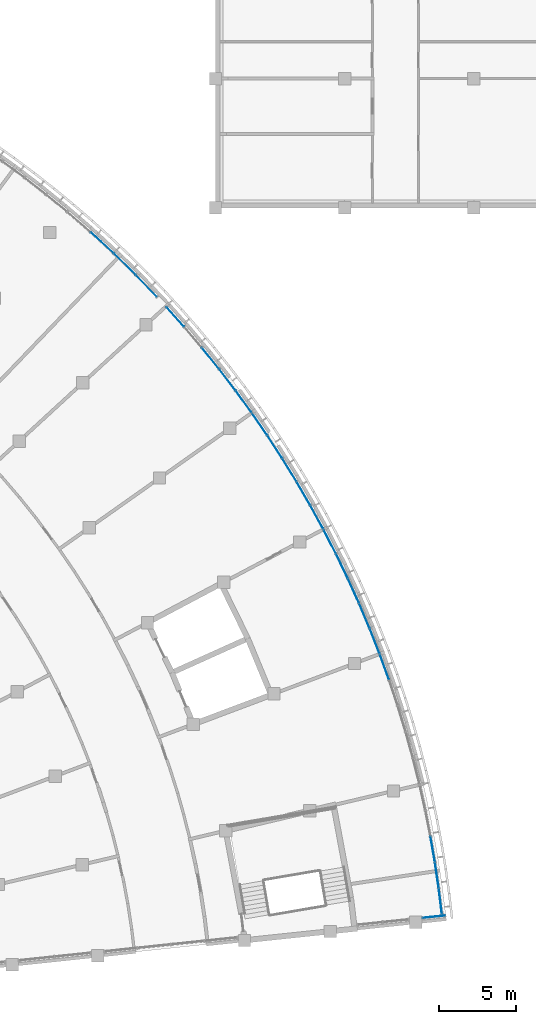
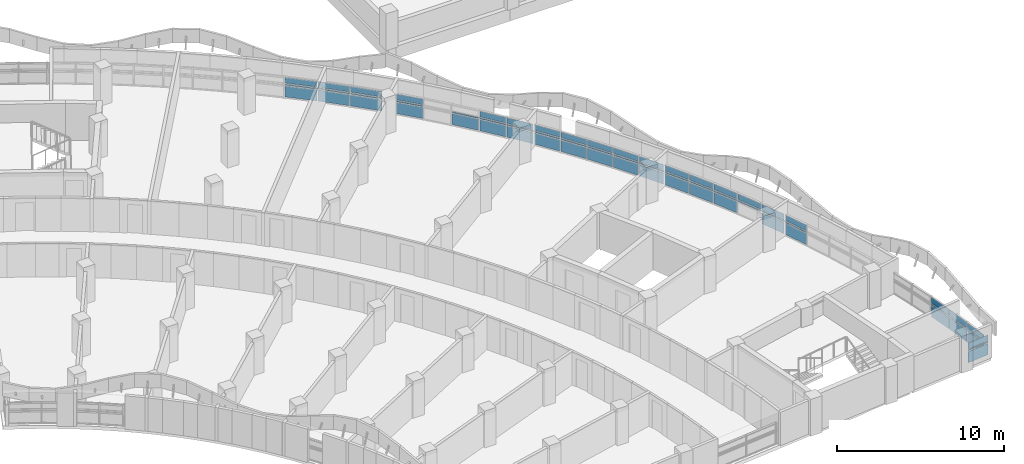
# One storey, part 34 of 89: 64 plates, 7 elements without a shape of their own.
"""IFC4 building model written with IfcOpenShell, lengths in metres."""

from ifc_helpers import new_model, si_unit, direction, frame, origin, origin_2d, place, context, subcontext, project, spatial, rectangle, extrude, material, layer, layer_set, type_object, element, aggregate, save


model = new_model("IFC4")

# Units and contexts
model_context = context("Model", 3, precision=1e-05, world=origin(), true_north=direction((0.0, 1.0)))
body_context = subcontext(model_context, "Body", "Model", "MODEL_VIEW")
ifc_project = project(units=[si_unit("LENGTHUNIT", "METRE"), si_unit("AREAUNIT", "SQUARE_METRE"), si_unit("VOLUMEUNIT", "CUBIC_METRE"), si_unit("PLANEANGLEUNIT", "RADIAN"), si_unit("MASSUNIT", "GRAM", prefix="KILO")], contexts=[model_context])

# Site, building, storey
site_placement = place(None, origin())
site = spatial("IfcSite", under=ifc_project, at=site_placement, CompositionType="ELEMENT")
building_placement = place(site_placement, origin())
building = spatial("IfcBuilding", under=site, at=building_placement, Name="Bougainvillea Quay General Hospital", CompositionType="ELEMENT")
storey_placement = place(building_placement, frame((0.0, 0.0, 9.89990234375)))
storey = spatial("IfcBuildingStorey", under=building, at=storey_placement, Name="L01M", CompositionType="ELEMENT", Elevation=9.89990234375)

# Curtain wall, plates
ifc_material_1 = material(Name="Aluminium curtain wall system, powder-coated glazed", Category="aluminium")
curtain_wall_type_1 = type_object("IfcCurtainWallType", Name="Unitised curtain wall CW-2100", PredefinedType="NOTDEFINED", material=ifc_material_1)
curtain_wall_1_placement = place(storey_placement, origin())
curtain_wall_1 = element("IfcCurtainWall", 1, at=curtain_wall_1_placement, inside=storey, type_object=curtain_wall_type_1, Name="CW-E03 a10b2", PredefinedType="NOTDEFINED")
ifc_material_2 = material(Name="Insulated aluminium spandrel panel, white", Category="aluminium")
ifc_layer_1 = layer(ifc_material_2, 0.028076171875)
ifc_layer_set_1 = layer_set([ifc_layer_1], Name="Insulated aluminium spandrel panel, white")
plate_type_1 = type_object("IfcPlateType", Name="Insulated spandrel panel white 28", PredefinedType="CURTAIN_PANEL", material=ifc_layer_set_1)
plate_1_placement = place(storey_placement, frame((156.422607421875, 73.323486328125, 0.06005859375), z_axis=(0.0, 0.0, 1.0), x_axis=(0.735894078479, -0.677096673497, 0.0)))
plate_1 = element("IfcPlate", 2, at=plate_1_placement, type_object=plate_type_1, Name="CW-E03 spandrel panel 2.1", PredefinedType="CURTAIN_PANEL", context=body_context, shape_type="SweptSolid", body=[
    extrude(rectangle(XDim=1.96337890625, YDim=0.028076171875, at=origin_2d()), origin(), (0.0, 0.0, 1.0), 0.81005859375),
])
plate_2_placement = place(storey_placement, frame((156.422607421875, 73.323486328125, 1.080078125), z_axis=(0.0, 0.0, 1.0), x_axis=(0.735894078479, -0.677096673497, 0.0)))
plate_2 = element("IfcPlate", 3, at=plate_2_placement, type_object=plate_type_1, Name="CW-E03 spandrel panel 2.3", PredefinedType="CURTAIN_PANEL", context=body_context, shape_type="SweptSolid", body=[
    extrude(rectangle(XDim=1.96337890625, YDim=0.028076171875, at=origin_2d()), origin(), (0.0, 0.0, 1.0), 0.409912109375),
])
plate_3_placement = place(storey_placement, frame((157.8916015625, 71.93212890625, 0.06005859375), z_axis=(0.0, 0.0, 1.0), x_axis=(0.715944985264, -0.69815670023, 0.0)))
plate_3 = element("IfcPlate", 4, at=plate_3_placement, type_object=plate_type_1, Name="CW-E03 spandrel panel 3.1", PredefinedType="CURTAIN_PANEL", context=body_context, shape_type="SweptSolid", body=[
    extrude(rectangle(XDim=1.96337890625, YDim=0.028076171875, at=origin_2d()), origin(), (0.0, 0.0, 1.0), 0.81005859375),
])
plate_4_placement = place(storey_placement, frame((157.8916015625, 71.93212890625, 1.080078125), z_axis=(0.0, 0.0, 1.0), x_axis=(0.715944985264, -0.69815670023, 0.0)))
plate_4 = element("IfcPlate", 5, at=plate_4_placement, type_object=plate_type_1, Name="CW-E03 spandrel panel 3.3", PredefinedType="CURTAIN_PANEL", context=body_context, shape_type="SweptSolid", body=[
    extrude(rectangle(XDim=1.96337890625, YDim=0.028076171875, at=origin_2d()), origin(), (0.0, 0.0, 1.0), 0.409912109375),
])
plate_5_placement = place(storey_placement, frame((159.308837890625, 70.509521484375, 0.06005859375), z_axis=(0.0, 0.0, 1.0), x_axis=(0.695393430754, -0.718629234351, 0.0)))
plate_5 = element("IfcPlate", 6, at=plate_5_placement, type_object=plate_type_1, Name="CW-E03 spandrel panel 4.1", PredefinedType="CURTAIN_PANEL", context=body_context, shape_type="SweptSolid", body=[
    extrude(rectangle(XDim=1.933349609375, YDim=0.028076171875, at=origin_2d()), origin(), (0.0, 0.0, 1.0), 0.81005859375),
])
plate_6_placement = place(storey_placement, frame((159.308837890625, 70.509521484375, 1.080078125), z_axis=(0.0, 0.0, 1.0), x_axis=(0.695393430754, -0.718629234351, 0.0)))
plate_6 = element("IfcPlate", 7, at=plate_6_placement, type_object=plate_type_1, Name="CW-E03 spandrel panel 4.3", PredefinedType="CURTAIN_PANEL", context=body_context, shape_type="SweptSolid", body=[
    extrude(rectangle(XDim=1.933349609375, YDim=0.028076171875, at=origin_2d()), origin(), (0.0, 0.0, 1.0), 0.409912109375),
])

curtain_wall_type_2 = type_object("IfcCurtainWallType", Name="Unitised curtain wall CW-1581", PredefinedType="NOTDEFINED", material=ifc_material_1)
curtain_wall_2_placement = place(storey_placement, origin())
curtain_wall_2 = element("IfcCurtainWall", 8, at=curtain_wall_2_placement, inside=storey, type_object=curtain_wall_type_2, Name="CW-AE 05", PredefinedType="NOTDEFINED")
plate_7_placement = place(storey_placement, frame((178.0048828125, 29.48291015625, 0.06005859375), z_axis=(0.0, 0.0, 1.0), x_axis=(0.9945220309, 0.104527173765, 0.0)))
plate_7 = element("IfcPlate", 9, at=plate_7_placement, type_object=plate_type_1, Name="CW-AE spandrel panel 1.1", PredefinedType="CURTAIN_PANEL", context=body_context, shape_type="SweptSolid", body=[
    extrude(rectangle(XDim=1.46044921875, YDim=0.028076171875, at=origin_2d()), origin(), (0.0, 0.0, 1.0), 0.81005859375),
])
plate_8_placement = place(storey_placement, frame((178.0048828125, 29.48291015625, 1.080078125), z_axis=(0.0, 0.0, 1.0), x_axis=(0.9945220309, 0.104527173765, 0.0)))
plate_8 = element("IfcPlate", 10, at=plate_8_placement, type_object=plate_type_1, Name="CW-AE spandrel panel 1.3", PredefinedType="CURTAIN_PANEL", context=body_context, shape_type="SweptSolid", body=[
    extrude(rectangle(XDim=1.46044921875, YDim=0.028076171875, at=origin_2d()), origin(), (0.0, 0.0, 1.0), 0.409912109375),
])

curtain_wall_3_placement = place(storey_placement, origin())
curtain_wall_3 = element("IfcCurtainWall", 11, at=curtain_wall_3_placement, inside=storey, type_object=curtain_wall_type_1, Name="CW-E04 a14b3", PredefinedType="NOTDEFINED")
plate_9_placement = place(storey_placement, frame((161.176513671875, 68.505859375, 0.06005859375), z_axis=(0.0, 0.0, 1.0), x_axis=(0.666959122159, -0.745094309044, 0.0)))
plate_9 = element("IfcPlate", 12, at=plate_9_placement, type_object=plate_type_1, Name="CW-E04 spandrel panel 1.1", PredefinedType="CURTAIN_PANEL", context=body_context, shape_type="SweptSolid", body=[
    extrude(rectangle(XDim=1.690185546875, YDim=0.028076171875, at=origin_2d()), origin(), (0.0, 0.0, 1.0), 0.81005859375),
])
plate_10_placement = place(storey_placement, frame((161.176513671875, 68.505859375, 1.080078125), z_axis=(0.0, 0.0, 1.0), x_axis=(0.666959122159, -0.745094309044, 0.0)))
plate_10 = element("IfcPlate", 13, at=plate_10_placement, type_object=plate_type_1, Name="CW-E04 spandrel panel 1.3", PredefinedType="CURTAIN_PANEL", context=body_context, shape_type="SweptSolid", body=[
    extrude(rectangle(XDim=1.690185546875, YDim=0.028076171875, at=origin_2d()), origin(), (0.0, 0.0, 1.0), 0.409912109375),
])
plate_11_placement = place(storey_placement, frame((163.47216796875, 65.8046875, 0.06005859375), z_axis=(0.0, 0.0, 1.0), x_axis=(0.62807171477, -0.778155460757, 0.0)))
plate_11 = element("IfcPlate", 14, at=plate_11_placement, type_object=plate_type_1, Name="CW-E04 spandrel panel 3.1", PredefinedType="CURTAIN_PANEL", context=body_context, shape_type="SweptSolid", body=[
    extrude(rectangle(XDim=1.72021484375, YDim=0.028076171875, at=origin_2d()), origin(), (0.0, 0.0, 1.0), 0.81005859375),
])
plate_12_placement = place(storey_placement, frame((164.572509765625, 64.4052734375, 0.06005859375), z_axis=(0.0, 0.0, 1.0), x_axis=(0.608007898172, -0.793930976698, 0.0)))
plate_12 = element("IfcPlate", 15, at=plate_12_placement, type_object=plate_type_1, Name="CW-E04 spandrel panel 4.1", PredefinedType="CURTAIN_PANEL", context=body_context, shape_type="SweptSolid", body=[
    extrude(rectangle(XDim=1.72021484375, YDim=0.028076171875, at=origin_2d()), origin(), (0.0, 0.0, 1.0), 0.81005859375),
])
plate_13_placement = place(storey_placement, frame((164.572509765625, 64.4052734375, 1.080078125), z_axis=(0.0, 0.0, 1.0), x_axis=(0.608007898172, -0.793930976698, 0.0)))
plate_13 = element("IfcPlate", 16, at=plate_13_placement, type_object=plate_type_1, Name="CW-E04 spandrel panel 4.3", PredefinedType="CURTAIN_PANEL", context=body_context, shape_type="SweptSolid", body=[
    extrude(rectangle(XDim=1.72021484375, YDim=0.028076171875, at=origin_2d()), origin(), (0.0, 0.0, 1.0), 0.409912109375),
])
plate_14_placement = place(storey_placement, frame((165.6279296875, 62.990478515625, 0.06005859375), z_axis=(0.0, 0.0, 1.0), x_axis=(0.587548010856, -0.809189307232, 0.0)))
plate_14 = element("IfcPlate", 17, at=plate_14_placement, type_object=plate_type_1, Name="CW-E04 spandrel panel 5.1", PredefinedType="CURTAIN_PANEL", context=body_context, shape_type="SweptSolid", body=[
    extrude(rectangle(XDim=1.690185546875, YDim=0.028076171875, at=origin_2d()), origin(), (0.0, 0.0, 1.0), 0.81005859375),
])
plate_15_placement = place(storey_placement, frame((165.6279296875, 62.990478515625, 1.080078125), z_axis=(0.0, 0.0, 1.0), x_axis=(0.587548010856, -0.809189307232, 0.0)))
plate_15 = element("IfcPlate", 18, at=plate_15_placement, type_object=plate_type_1, Name="CW-E04 spandrel panel 5.3", PredefinedType="CURTAIN_PANEL", context=body_context, shape_type="SweptSolid", body=[
    extrude(rectangle(XDim=1.690185546875, YDim=0.028076171875, at=origin_2d()), origin(), (0.0, 0.0, 1.0), 0.409912109375),
])

curtain_wall_4_placement = place(storey_placement, origin())
curtain_wall_4 = element("IfcCurtainWall", 19, at=curtain_wall_4_placement, inside=storey, type_object=curtain_wall_type_1, Name="CW-E05 a14b4", PredefinedType="NOTDEFINED")
plate_16_placement = place(storey_placement, frame((166.672607421875, 61.512451171875, 0.06005859375), z_axis=(0.0, 0.0, 1.0), x_axis=(0.566705380876, -0.823920512723, 0.0)))
plate_16 = element("IfcPlate", 20, at=plate_16_placement, type_object=plate_type_1, Name="CW-E05 spandrel panel 1.1", PredefinedType="CURTAIN_PANEL", context=body_context, shape_type="SweptSolid", body=[
    extrude(rectangle(XDim=1.690185546875, YDim=0.028076171875, at=origin_2d()), origin(), (0.0, 0.0, 1.0), 0.81005859375),
])
plate_17_placement = place(storey_placement, frame((166.672607421875, 61.512451171875, 1.080078125), z_axis=(0.0, 0.0, 1.0), x_axis=(0.566705380876, -0.823920512723, 0.0)))
plate_17 = element("IfcPlate", 21, at=plate_17_placement, type_object=plate_type_1, Name="CW-E05 spandrel panel 1.3", PredefinedType="CURTAIN_PANEL", context=body_context, shape_type="SweptSolid", body=[
    extrude(rectangle(XDim=1.690185546875, YDim=0.028076171875, at=origin_2d()), origin(), (0.0, 0.0, 1.0), 0.409912109375),
])
plate_18_placement = place(storey_placement, frame((167.654052734375, 60.04541015625, 0.06005859375), z_axis=(0.0, 0.0, 1.0), x_axis=(0.545493585615, -0.838114996915, 0.0)))
plate_18 = element("IfcPlate", 22, at=plate_18_placement, type_object=plate_type_1, Name="CW-E05 spandrel panel 2.1", PredefinedType="CURTAIN_PANEL", context=body_context, shape_type="SweptSolid", body=[
    extrude(rectangle(XDim=1.72021484375, YDim=0.028076171875, at=origin_2d()), origin(), (0.0, 0.0, 1.0), 0.81005859375),
])
plate_19_placement = place(storey_placement, frame((167.654052734375, 60.04541015625, 1.080078125), z_axis=(0.0, 0.0, 1.0), x_axis=(0.545493585615, -0.838114996915, 0.0)))
plate_19 = element("IfcPlate", 23, at=plate_19_placement, type_object=plate_type_1, Name="CW-E05 spandrel panel 2.3", PredefinedType="CURTAIN_PANEL", context=body_context, shape_type="SweptSolid", body=[
    extrude(rectangle(XDim=1.72021484375, YDim=0.028076171875, at=origin_2d()), origin(), (0.0, 0.0, 1.0), 0.409912109375),
])
plate_20_placement = place(storey_placement, frame((168.60595703125, 58.541015625, 0.06005859375), z_axis=(0.0, 0.0, 1.0), x_axis=(0.523926442936, -0.851763513185, 0.0)))
plate_20 = element("IfcPlate", 24, at=plate_20_placement, type_object=plate_type_1, Name="CW-E05 spandrel panel 3.1", PredefinedType="CURTAIN_PANEL", context=body_context, shape_type="SweptSolid", body=[
    extrude(rectangle(XDim=1.72021484375, YDim=0.028076171875, at=origin_2d()), origin(), (0.0, 0.0, 1.0), 0.81005859375),
])
plate_21_placement = place(storey_placement, frame((168.60595703125, 58.541015625, 1.080078125), z_axis=(0.0, 0.0, 1.0), x_axis=(0.523926442936, -0.851763513185, 0.0)))
plate_21 = element("IfcPlate", 25, at=plate_21_placement, type_object=plate_type_1, Name="CW-E05 spandrel panel 3.3", PredefinedType="CURTAIN_PANEL", context=body_context, shape_type="SweptSolid", body=[
    extrude(rectangle(XDim=1.72021484375, YDim=0.028076171875, at=origin_2d()), origin(), (0.0, 0.0, 1.0), 0.409912109375),
])
plate_22_placement = place(storey_placement, frame((169.519287109375, 57.01318359375, 0.06005859375), z_axis=(0.0, 0.0, 1.0), x_axis=(0.502018002187, -0.864857170567, 0.0)))
plate_22 = element("IfcPlate", 26, at=plate_22_placement, type_object=plate_type_1, Name="CW-E05 spandrel panel 4.1", PredefinedType="CURTAIN_PANEL", context=body_context, shape_type="SweptSolid", body=[
    extrude(rectangle(XDim=1.72021484375, YDim=0.028076171875, at=origin_2d()), origin(), (0.0, 0.0, 1.0), 0.81005859375),
])
plate_23_placement = place(storey_placement, frame((169.519287109375, 57.01318359375, 1.080078125), z_axis=(0.0, 0.0, 1.0), x_axis=(0.502018002187, -0.864857170567, 0.0)))
plate_23 = element("IfcPlate", 27, at=plate_23_placement, type_object=plate_type_1, Name="CW-E05 spandrel panel 4.3", PredefinedType="CURTAIN_PANEL", context=body_context, shape_type="SweptSolid", body=[
    extrude(rectangle(XDim=1.72021484375, YDim=0.028076171875, at=origin_2d()), origin(), (0.0, 0.0, 1.0), 0.409912109375),
])
plate_24_placement = place(storey_placement, frame((170.385986328125, 55.4755859375, 0.06005859375), z_axis=(0.0, 0.0, 1.0), x_axis=(0.479782535044, -0.877387439543, 0.0)))
plate_24 = element("IfcPlate", 28, at=plate_24_placement, type_object=plate_type_1, Name="CW-E05 spandrel panel 5.1", PredefinedType="CURTAIN_PANEL", context=body_context, shape_type="SweptSolid", body=[
    extrude(rectangle(XDim=1.690185546875, YDim=0.028076171875, at=origin_2d()), origin(), (0.0, 0.0, 1.0), 0.81005859375),
])
plate_25_placement = place(storey_placement, frame((170.385986328125, 55.4755859375, 1.080078125), z_axis=(0.0, 0.0, 1.0), x_axis=(0.479782535044, -0.877387439543, 0.0)))
plate_25 = element("IfcPlate", 29, at=plate_25_placement, type_object=plate_type_1, Name="CW-E05 spandrel panel 5.3", PredefinedType="CURTAIN_PANEL", context=body_context, shape_type="SweptSolid", body=[
    extrude(rectangle(XDim=1.690185546875, YDim=0.028076171875, at=origin_2d()), origin(), (0.0, 0.0, 1.0), 0.409912109375),
])

curtain_wall_5_placement = place(storey_placement, origin())
curtain_wall_5 = element("IfcCurtainWall", 30, at=curtain_wall_5_placement, inside=storey, type_object=curtain_wall_type_1, Name="CW-E06 a14b5", PredefinedType="NOTDEFINED")
plate_26_placement = place(storey_placement, frame((171.234130859375, 53.87646484375, 0.06005859375), z_axis=(0.0, 0.0, 1.0), x_axis=(0.457234526215, -0.889346157599, 0.0)))
plate_26 = element("IfcPlate", 31, at=plate_26_placement, type_object=plate_type_1, Name="CW-E06 spandrel panel 1.1", PredefinedType="CURTAIN_PANEL", context=body_context, shape_type="SweptSolid", body=[
    extrude(rectangle(XDim=1.690185546875, YDim=0.028076171875, at=origin_2d()), origin(), (0.0, 0.0, 1.0), 0.81005859375),
])
plate_27_placement = place(storey_placement, frame((171.234130859375, 53.87646484375, 1.080078125), z_axis=(0.0, 0.0, 1.0), x_axis=(0.457234526215, -0.889346157599, 0.0)))
plate_27 = element("IfcPlate", 32, at=plate_27_placement, type_object=plate_type_1, Name="CW-E06 spandrel panel 1.3", PredefinedType="CURTAIN_PANEL", context=body_context, shape_type="SweptSolid", body=[
    extrude(rectangle(XDim=1.690185546875, YDim=0.028076171875, at=origin_2d()), origin(), (0.0, 0.0, 1.0), 0.409912109375),
])
plate_28_placement = place(storey_placement, frame((172.02099609375, 52.29638671875, 0.06005859375), z_axis=(0.0, 0.0, 1.0), x_axis=(0.434388664007, -0.900725534545, 0.0)))
plate_28 = element("IfcPlate", 33, at=plate_28_placement, type_object=plate_type_1, Name="CW-E06 spandrel panel 2.1", PredefinedType="CURTAIN_PANEL", context=body_context, shape_type="SweptSolid", body=[
    extrude(rectangle(XDim=1.72021484375, YDim=0.028076171875, at=origin_2d()), origin(), (0.0, 0.0, 1.0), 0.81005859375),
])
plate_29_placement = place(storey_placement, frame((172.02099609375, 52.29638671875, 1.080078125), z_axis=(0.0, 0.0, 1.0), x_axis=(0.434388664007, -0.900725534545, 0.0)))
plate_29 = element("IfcPlate", 34, at=plate_29_placement, type_object=plate_type_1, Name="CW-E06 spandrel panel 2.3", PredefinedType="CURTAIN_PANEL", context=body_context, shape_type="SweptSolid", body=[
    extrude(rectangle(XDim=1.72021484375, YDim=0.028076171875, at=origin_2d()), origin(), (0.0, 0.0, 1.0), 0.409912109375),
])
plate_30_placement = place(storey_placement, frame((172.773681640625, 50.683349609375, 0.06005859375), z_axis=(0.0, 0.0, 1.0), x_axis=(0.411259830755, -0.911518157585, 0.0)))
plate_30 = element("IfcPlate", 35, at=plate_30_placement, type_object=plate_type_1, Name="CW-E06 spandrel panel 3.1", PredefinedType="CURTAIN_PANEL", context=body_context, shape_type="SweptSolid", body=[
    extrude(rectangle(XDim=1.72021484375, YDim=0.028076171875, at=origin_2d()), origin(), (0.0, 0.0, 1.0), 0.81005859375),
])
plate_31_placement = place(storey_placement, frame((172.773681640625, 50.683349609375, 1.080078125), z_axis=(0.0, 0.0, 1.0), x_axis=(0.411259830755, -0.911518157585, 0.0)))
plate_31 = element("IfcPlate", 36, at=plate_31_placement, type_object=plate_type_1, Name="CW-E06 spandrel panel 3.3", PredefinedType="CURTAIN_PANEL", context=body_context, shape_type="SweptSolid", body=[
    extrude(rectangle(XDim=1.72021484375, YDim=0.028076171875, at=origin_2d()), origin(), (0.0, 0.0, 1.0), 0.409912109375),
])
plate_32_placement = place(storey_placement, frame((173.48486328125, 49.051513671875, 1.080078125), z_axis=(0.0, 0.0, 1.0), x_axis=(0.387863093127, -0.921716996149, 0.0)))
plate_32 = element("IfcPlate", 37, at=plate_32_placement, type_object=plate_type_1, Name="CW-E06 spandrel panel 4.3", PredefinedType="CURTAIN_PANEL", context=body_context, shape_type="SweptSolid", body=[
    extrude(rectangle(XDim=1.72021484375, YDim=0.028076171875, at=origin_2d()), origin(), (0.0, 0.0, 1.0), 0.409912109375),
])
plate_33_placement = place(storey_placement, frame((174.14892578125, 47.416015625, 0.06005859375), z_axis=(0.0, 0.0, 1.0), x_axis=(0.364213692311, -0.931315406472, 0.0)))
plate_33 = element("IfcPlate", 38, at=plate_33_placement, type_object=plate_type_1, Name="CW-E06 spandrel panel 5.1", PredefinedType="CURTAIN_PANEL", context=body_context, shape_type="SweptSolid", body=[
    extrude(rectangle(XDim=1.690185546875, YDim=0.028076171875, at=origin_2d()), origin(), (0.0, 0.0, 1.0), 0.81005859375),
])
plate_34_placement = place(storey_placement, frame((174.14892578125, 47.416015625, 1.080078125), z_axis=(0.0, 0.0, 1.0), x_axis=(0.364213692311, -0.931315406472, 0.0)))
plate_34 = element("IfcPlate", 39, at=plate_34_placement, type_object=plate_type_1, Name="CW-E06 spandrel panel 5.3", PredefinedType="CURTAIN_PANEL", context=body_context, shape_type="SweptSolid", body=[
    extrude(rectangle(XDim=1.690185546875, YDim=0.028076171875, at=origin_2d()), origin(), (0.0, 0.0, 1.0), 0.409912109375),
])

curtain_wall_6_placement = place(storey_placement, origin())
curtain_wall_6 = element("IfcCurtainWall", 40, at=curtain_wall_6_placement, inside=storey, type_object=curtain_wall_type_1, Name="CW-E07 a14b6", PredefinedType="NOTDEFINED")
plate_35_placement = place(storey_placement, frame((174.78662109375, 45.721923828125, 0.06005859375), z_axis=(0.0, 0.0, 1.0), x_axis=(0.340327034086, -0.940307135924, 0.0)))
plate_35 = element("IfcPlate", 41, at=plate_35_placement, type_object=plate_type_1, Name="CW-E07 spandrel panel 1.1", PredefinedType="CURTAIN_PANEL", context=body_context, shape_type="SweptSolid", body=[
    extrude(rectangle(XDim=1.690185546875, YDim=0.028076171875, at=origin_2d()), origin(), (0.0, 0.0, 1.0), 0.81005859375),
])
plate_36_placement = place(storey_placement, frame((174.78662109375, 45.721923828125, 1.080078125), z_axis=(0.0, 0.0, 1.0), x_axis=(0.340327034086, -0.940307135924, 0.0)))
plate_36 = element("IfcPlate", 42, at=plate_36_placement, type_object=plate_type_1, Name="CW-E07 spandrel panel 1.3", PredefinedType="CURTAIN_PANEL", context=body_context, shape_type="SweptSolid", body=[
    extrude(rectangle(XDim=1.690185546875, YDim=0.028076171875, at=origin_2d()), origin(), (0.0, 0.0, 1.0), 0.409912109375),
])

curtain_wall_7_placement = place(storey_placement, origin())
curtain_wall_7 = element("IfcCurtainWall", 43, at=curtain_wall_7_placement, inside=storey, type_object=curtain_wall_type_1, Name="CW-E08 a14b7", PredefinedType="NOTDEFINED")
plate_37_placement = place(storey_placement, frame((177.927978515625, 33.867919921875, 0.06005859375), z_axis=(0.0, 0.0, 1.0), x_axis=(0.170160122734, -0.985416426, 0.0)))
plate_37 = element("IfcPlate", 44, at=plate_37_placement, type_object=plate_type_1, Name="CW-E08 spandrel panel 3.1", PredefinedType="CURTAIN_PANEL", context=body_context, shape_type="SweptSolid", body=[
    extrude(rectangle(XDim=1.653564453125, YDim=0.028076171875, at=origin_2d()), origin(), (0.0, 0.0, 1.0), 0.81005859375),
])
plate_38_placement = place(storey_placement, frame((177.927978515625, 33.867919921875, 1.080078125), z_axis=(0.0, 0.0, 1.0), x_axis=(0.170160122734, -0.985416426, 0.0)))
plate_38 = element("IfcPlate", 45, at=plate_38_placement, type_object=plate_type_1, Name="CW-E08 spandrel panel 3.3", PredefinedType="CURTAIN_PANEL", context=body_context, shape_type="SweptSolid", body=[
    extrude(rectangle(XDim=1.653564453125, YDim=0.028076171875, at=origin_2d()), origin(), (0.0, 0.0, 1.0), 0.409912109375),
])
plate_39_placement = place(storey_placement, frame((178.19873046875, 32.176025390625, 0.06005859375), z_axis=(0.0, 0.0, 1.0), x_axis=(0.145903125567, -0.989298882012, 0.0)))
plate_39 = element("IfcPlate", 46, at=plate_39_placement, type_object=plate_type_1, Name="CW-E08 spandrel panel 4.1", PredefinedType="CURTAIN_PANEL", context=body_context, shape_type="SweptSolid", body=[
    extrude(rectangle(XDim=1.653564453125, YDim=0.028076171875, at=origin_2d()), origin(), (0.0, 0.0, 1.0), 0.81005859375),
])
plate_40_placement = place(storey_placement, frame((178.19873046875, 32.176025390625, 1.080078125), z_axis=(0.0, 0.0, 1.0), x_axis=(0.145903125567, -0.989298882012, 0.0)))
plate_40 = element("IfcPlate", 47, at=plate_40_placement, type_object=plate_type_1, Name="CW-E08 spandrel panel 4.3", PredefinedType="CURTAIN_PANEL", context=body_context, shape_type="SweptSolid", body=[
    extrude(rectangle(XDim=1.653564453125, YDim=0.028076171875, at=origin_2d()), origin(), (0.0, 0.0, 1.0), 0.409912109375),
])
plate_41_placement = place(storey_placement, frame((178.42626953125, 30.492919921875, 0.06005859375), z_axis=(0.0, 0.0, 1.0), x_axis=(0.121558079457, -0.992584320508, 0.0)))
plate_41 = element("IfcPlate", 48, at=plate_41_placement, type_object=plate_type_1, Name="CW-E08 spandrel panel 5.1", PredefinedType="CURTAIN_PANEL", context=body_context, shape_type="SweptSolid", body=[
    extrude(rectangle(XDim=1.62353515625, YDim=0.028076171875, at=origin_2d()), origin(), (0.0, 0.0, 1.0), 0.81005859375),
])
plate_42_placement = place(storey_placement, frame((178.42626953125, 30.492919921875, 1.080078125), z_axis=(0.0, 0.0, 1.0), x_axis=(0.121558079457, -0.992584320508, 0.0)))
plate_42 = element("IfcPlate", 49, at=plate_42_placement, type_object=plate_type_1, Name="CW-E08 spandrel panel 5.3", PredefinedType="CURTAIN_PANEL", context=body_context, shape_type="SweptSolid", body=[
    extrude(rectangle(XDim=1.62353515625, YDim=0.028076171875, at=origin_2d()), origin(), (0.0, 0.0, 1.0), 0.409912109375),
])

# Plate
ifc_material_3 = material(Name="Low-e laminated glass, solar control", Category="glass")
ifc_layer_2 = layer(ifc_material_3, 0.028076171875)
ifc_layer_set_2 = layer_set([ifc_layer_2], Name="Low-e laminated glass, solar control")
plate_type_2 = type_object("IfcPlateType", Name="Low-e laminated vision glass 28", PredefinedType="CURTAIN_PANEL", material=ifc_layer_set_2)
plate_43_placement = place(storey_placement, frame((156.422607421875, 73.323486328125, 0.93017578125), z_axis=(0.0, 0.0, 1.0), x_axis=(0.735894078479, -0.677096673497, 0.0)))
plate_43 = element("IfcPlate", 50, at=plate_43_placement, type_object=plate_type_2, Name="CW-E03 vision glass panel 2.2", PredefinedType="CURTAIN_PANEL", context=body_context, shape_type="SweptSolid", body=[
    extrude(rectangle(XDim=1.96337890625, YDim=0.028076171875, at=origin_2d()), origin(), (0.0, 0.0, 1.0), 0.090087890625),
])

plate_44_placement = place(storey_placement, frame((157.8916015625, 71.93212890625, 0.93017578125), z_axis=(0.0, 0.0, 1.0), x_axis=(0.715944985264, -0.69815670023, 0.0)))
plate_44 = element("IfcPlate", 51, at=plate_44_placement, type_object=plate_type_2, Name="CW-E03 vision glass panel 3.2", PredefinedType="CURTAIN_PANEL", context=body_context, shape_type="SweptSolid", body=[
    extrude(rectangle(XDim=1.96337890625, YDim=0.028076171875, at=origin_2d()), origin(), (0.0, 0.0, 1.0), 0.090087890625),
])

plate_45_placement = place(storey_placement, frame((159.308837890625, 70.509521484375, 0.93017578125), z_axis=(0.0, 0.0, 1.0), x_axis=(0.695393430754, -0.718629234351, 0.0)))
plate_45 = element("IfcPlate", 52, at=plate_45_placement, type_object=plate_type_2, Name="CW-E03 vision glass panel 4.2", PredefinedType="CURTAIN_PANEL", context=body_context, shape_type="SweptSolid", body=[
    extrude(rectangle(XDim=1.933349609375, YDim=0.028076171875, at=origin_2d()), origin(), (0.0, 0.0, 1.0), 0.090087890625),
])

aggregate(curtain_wall_1, [plate_1, plate_43, plate_2, plate_3, plate_44, plate_4, plate_5, plate_45, plate_6])

plate_46_placement = place(storey_placement, frame((178.0048828125, 29.48291015625, 0.93017578125), z_axis=(0.0, 0.0, 1.0), x_axis=(0.9945220309, 0.104527173765, 0.0)))
plate_46 = element("IfcPlate", 53, at=plate_46_placement, type_object=plate_type_2, Name="CW-AE vision glass panel 1.2", PredefinedType="CURTAIN_PANEL", context=body_context, shape_type="SweptSolid", body=[
    extrude(rectangle(XDim=1.46044921875, YDim=0.028076171875, at=origin_2d()), origin(), (0.0, 0.0, 1.0), 0.090087890625),
])

aggregate(curtain_wall_2, [plate_7, plate_46, plate_8])

plate_47_placement = place(storey_placement, frame((161.176513671875, 68.505859375, 0.93017578125), z_axis=(0.0, 0.0, 1.0), x_axis=(0.666959122159, -0.745094309044, 0.0)))
plate_47 = element("IfcPlate", 54, at=plate_47_placement, type_object=plate_type_2, Name="CW-E04 vision glass panel 1.2", PredefinedType="CURTAIN_PANEL", context=body_context, shape_type="SweptSolid", body=[
    extrude(rectangle(XDim=1.690185546875, YDim=0.028076171875, at=origin_2d()), origin(), (0.0, 0.0, 1.0), 0.090087890625),
])

plate_48_placement = place(storey_placement, frame((163.47216796875, 65.8046875, 0.93017578125), z_axis=(0.0, 0.0, 1.0), x_axis=(0.62807171477, -0.778155460757, 0.0)))
plate_48 = element("IfcPlate", 55, at=plate_48_placement, type_object=plate_type_2, Name="CW-E04 vision glass panel 3.2", PredefinedType="CURTAIN_PANEL", context=body_context, shape_type="SweptSolid", body=[
    extrude(rectangle(XDim=1.72021484375, YDim=0.028076171875, at=origin_2d()), origin(), (0.0, 0.0, 1.0), 0.090087890625),
])

plate_49_placement = place(storey_placement, frame((164.572509765625, 64.4052734375, 0.93017578125), z_axis=(0.0, 0.0, 1.0), x_axis=(0.608007898172, -0.793930976698, 0.0)))
plate_49 = element("IfcPlate", 56, at=plate_49_placement, type_object=plate_type_2, Name="CW-E04 vision glass panel 4.2", PredefinedType="CURTAIN_PANEL", context=body_context, shape_type="SweptSolid", body=[
    extrude(rectangle(XDim=1.72021484375, YDim=0.028076171875, at=origin_2d()), origin(), (0.0, 0.0, 1.0), 0.090087890625),
])

plate_50_placement = place(storey_placement, frame((165.6279296875, 62.990478515625, 0.93017578125), z_axis=(0.0, 0.0, 1.0), x_axis=(0.587548010856, -0.809189307232, 0.0)))
plate_50 = element("IfcPlate", 57, at=plate_50_placement, type_object=plate_type_2, Name="CW-E04 vision glass panel 5.2", PredefinedType="CURTAIN_PANEL", context=body_context, shape_type="SweptSolid", body=[
    extrude(rectangle(XDim=1.690185546875, YDim=0.028076171875, at=origin_2d()), origin(), (0.0, 0.0, 1.0), 0.090087890625),
])

aggregate(curtain_wall_3, [plate_9, plate_47, plate_10, plate_11, plate_48, plate_12, plate_49, plate_13, plate_14, plate_50, plate_15])

plate_51_placement = place(storey_placement, frame((166.672607421875, 61.512451171875, 0.93017578125), z_axis=(0.0, 0.0, 1.0), x_axis=(0.566705380876, -0.823920512723, 0.0)))
plate_51 = element("IfcPlate", 58, at=plate_51_placement, type_object=plate_type_2, Name="CW-E05 vision glass panel 1.2", PredefinedType="CURTAIN_PANEL", context=body_context, shape_type="SweptSolid", body=[
    extrude(rectangle(XDim=1.690185546875, YDim=0.028076171875, at=origin_2d()), origin(), (0.0, 0.0, 1.0), 0.090087890625),
])

plate_52_placement = place(storey_placement, frame((167.654052734375, 60.04541015625, 0.93017578125), z_axis=(0.0, 0.0, 1.0), x_axis=(0.545493585615, -0.838114996915, 0.0)))
plate_52 = element("IfcPlate", 59, at=plate_52_placement, type_object=plate_type_2, Name="CW-E05 vision glass panel 2.2", PredefinedType="CURTAIN_PANEL", context=body_context, shape_type="SweptSolid", body=[
    extrude(rectangle(XDim=1.72021484375, YDim=0.028076171875, at=origin_2d()), origin(), (0.0, 0.0, 1.0), 0.090087890625),
])

plate_53_placement = place(storey_placement, frame((168.60595703125, 58.541015625, 0.93017578125), z_axis=(0.0, 0.0, 1.0), x_axis=(0.523926442936, -0.851763513185, 0.0)))
plate_53 = element("IfcPlate", 60, at=plate_53_placement, type_object=plate_type_2, Name="CW-E05 vision glass panel 3.2", PredefinedType="CURTAIN_PANEL", context=body_context, shape_type="SweptSolid", body=[
    extrude(rectangle(XDim=1.72021484375, YDim=0.028076171875, at=origin_2d()), origin(), (0.0, 0.0, 1.0), 0.090087890625),
])

plate_54_placement = place(storey_placement, frame((169.519287109375, 57.01318359375, 0.93017578125), z_axis=(0.0, 0.0, 1.0), x_axis=(0.502018002187, -0.864857170567, 0.0)))
plate_54 = element("IfcPlate", 61, at=plate_54_placement, type_object=plate_type_2, Name="CW-E05 vision glass panel 4.2", PredefinedType="CURTAIN_PANEL", context=body_context, shape_type="SweptSolid", body=[
    extrude(rectangle(XDim=1.72021484375, YDim=0.028076171875, at=origin_2d()), origin(), (0.0, 0.0, 1.0), 0.090087890625),
])

plate_55_placement = place(storey_placement, frame((170.385986328125, 55.4755859375, 0.93017578125), z_axis=(0.0, 0.0, 1.0), x_axis=(0.479782535044, -0.877387439543, 0.0)))
plate_55 = element("IfcPlate", 62, at=plate_55_placement, type_object=plate_type_2, Name="CW-E05 vision glass panel 5.2", PredefinedType="CURTAIN_PANEL", context=body_context, shape_type="SweptSolid", body=[
    extrude(rectangle(XDim=1.690185546875, YDim=0.028076171875, at=origin_2d()), origin(), (0.0, 0.0, 1.0), 0.090087890625),
])

aggregate(curtain_wall_4, [plate_16, plate_51, plate_17, plate_18, plate_52, plate_19, plate_20, plate_53, plate_21, plate_22, plate_54, plate_23, plate_24, plate_55, plate_25])

plate_56_placement = place(storey_placement, frame((171.234130859375, 53.87646484375, 0.93017578125), z_axis=(0.0, 0.0, 1.0), x_axis=(0.457234526215, -0.889346157599, 0.0)))
plate_56 = element("IfcPlate", 63, at=plate_56_placement, type_object=plate_type_2, Name="CW-E06 vision glass panel 1.2", PredefinedType="CURTAIN_PANEL", context=body_context, shape_type="SweptSolid", body=[
    extrude(rectangle(XDim=1.690185546875, YDim=0.028076171875, at=origin_2d()), origin(), (0.0, 0.0, 1.0), 0.090087890625),
])

plate_57_placement = place(storey_placement, frame((172.02099609375, 52.29638671875, 0.93017578125), z_axis=(0.0, 0.0, 1.0), x_axis=(0.434388664007, -0.900725534545, 0.0)))
plate_57 = element("IfcPlate", 64, at=plate_57_placement, type_object=plate_type_2, Name="CW-E06 vision glass panel 2.2", PredefinedType="CURTAIN_PANEL", context=body_context, shape_type="SweptSolid", body=[
    extrude(rectangle(XDim=1.72021484375, YDim=0.028076171875, at=origin_2d()), origin(), (0.0, 0.0, 1.0), 0.090087890625),
])

plate_58_placement = place(storey_placement, frame((172.773681640625, 50.683349609375, 0.93017578125), z_axis=(0.0, 0.0, 1.0), x_axis=(0.411259830755, -0.911518157585, 0.0)))
plate_58 = element("IfcPlate", 65, at=plate_58_placement, type_object=plate_type_2, Name="CW-E06 vision glass panel 3.2", PredefinedType="CURTAIN_PANEL", context=body_context, shape_type="SweptSolid", body=[
    extrude(rectangle(XDim=1.72021484375, YDim=0.028076171875, at=origin_2d()), origin(), (0.0, 0.0, 1.0), 0.090087890625),
])

plate_59_placement = place(storey_placement, frame((173.48486328125, 49.051513671875, 0.93017578125), z_axis=(0.0, 0.0, 1.0), x_axis=(0.387863093127, -0.921716996149, 0.0)))
plate_59 = element("IfcPlate", 66, at=plate_59_placement, type_object=plate_type_2, Name="CW-E06 vision glass panel 4.2", PredefinedType="CURTAIN_PANEL", context=body_context, shape_type="SweptSolid", body=[
    extrude(rectangle(XDim=1.72021484375, YDim=0.028076171875, at=origin_2d()), origin(), (0.0, 0.0, 1.0), 0.090087890625),
])

plate_60_placement = place(storey_placement, frame((174.14892578125, 47.416015625, 0.93017578125), z_axis=(0.0, 0.0, 1.0), x_axis=(0.364213692311, -0.931315406472, 0.0)))
plate_60 = element("IfcPlate", 67, at=plate_60_placement, type_object=plate_type_2, Name="CW-E06 vision glass panel 5.2", PredefinedType="CURTAIN_PANEL", context=body_context, shape_type="SweptSolid", body=[
    extrude(rectangle(XDim=1.690185546875, YDim=0.028076171875, at=origin_2d()), origin(), (0.0, 0.0, 1.0), 0.090087890625),
])

aggregate(curtain_wall_5, [plate_26, plate_56, plate_27, plate_28, plate_57, plate_29, plate_30, plate_58, plate_31, plate_59, plate_32, plate_33, plate_60, plate_34])

plate_61_placement = place(storey_placement, frame((174.78662109375, 45.721923828125, 0.93017578125), z_axis=(0.0, 0.0, 1.0), x_axis=(0.340327034086, -0.940307135924, 0.0)))
plate_61 = element("IfcPlate", 68, at=plate_61_placement, type_object=plate_type_2, Name="CW-E07 vision glass panel 1.2", PredefinedType="CURTAIN_PANEL", context=body_context, shape_type="SweptSolid", body=[
    extrude(rectangle(XDim=1.690185546875, YDim=0.028076171875, at=origin_2d()), origin(), (0.0, 0.0, 1.0), 0.090087890625),
])

aggregate(curtain_wall_6, [plate_35, plate_61, plate_36])

plate_62_placement = place(storey_placement, frame((177.927978515625, 33.867919921875, 0.93017578125), z_axis=(0.0, 0.0, 1.0), x_axis=(0.170160122734, -0.985416426, 0.0)))
plate_62 = element("IfcPlate", 69, at=plate_62_placement, type_object=plate_type_2, Name="CW-E08 vision glass panel 3.2", PredefinedType="CURTAIN_PANEL", context=body_context, shape_type="SweptSolid", body=[
    extrude(rectangle(XDim=1.653564453125, YDim=0.028076171875, at=origin_2d()), origin(), (0.0, 0.0, 1.0), 0.090087890625),
])

plate_63_placement = place(storey_placement, frame((178.19873046875, 32.176025390625, 0.93017578125), z_axis=(0.0, 0.0, 1.0), x_axis=(0.145903125567, -0.989298882012, 0.0)))
plate_63 = element("IfcPlate", 70, at=plate_63_placement, type_object=plate_type_2, Name="CW-E08 vision glass panel 4.2", PredefinedType="CURTAIN_PANEL", context=body_context, shape_type="SweptSolid", body=[
    extrude(rectangle(XDim=1.653564453125, YDim=0.028076171875, at=origin_2d()), origin(), (0.0, 0.0, 1.0), 0.090087890625),
])

plate_64_placement = place(storey_placement, frame((178.42626953125, 30.492919921875, 0.93017578125), z_axis=(0.0, 0.0, 1.0), x_axis=(0.121558079457, -0.992584320508, 0.0)))
plate_64 = element("IfcPlate", 71, at=plate_64_placement, type_object=plate_type_2, Name="CW-E08 vision glass panel 5.2", PredefinedType="CURTAIN_PANEL", context=body_context, shape_type="SweptSolid", body=[
    extrude(rectangle(XDim=1.62353515625, YDim=0.028076171875, at=origin_2d()), origin(), (0.0, 0.0, 1.0), 0.090087890625),
])

aggregate(curtain_wall_7, [plate_37, plate_62, plate_38, plate_39, plate_63, plate_40, plate_41, plate_64, plate_42])

save(model, "model.ifc")
